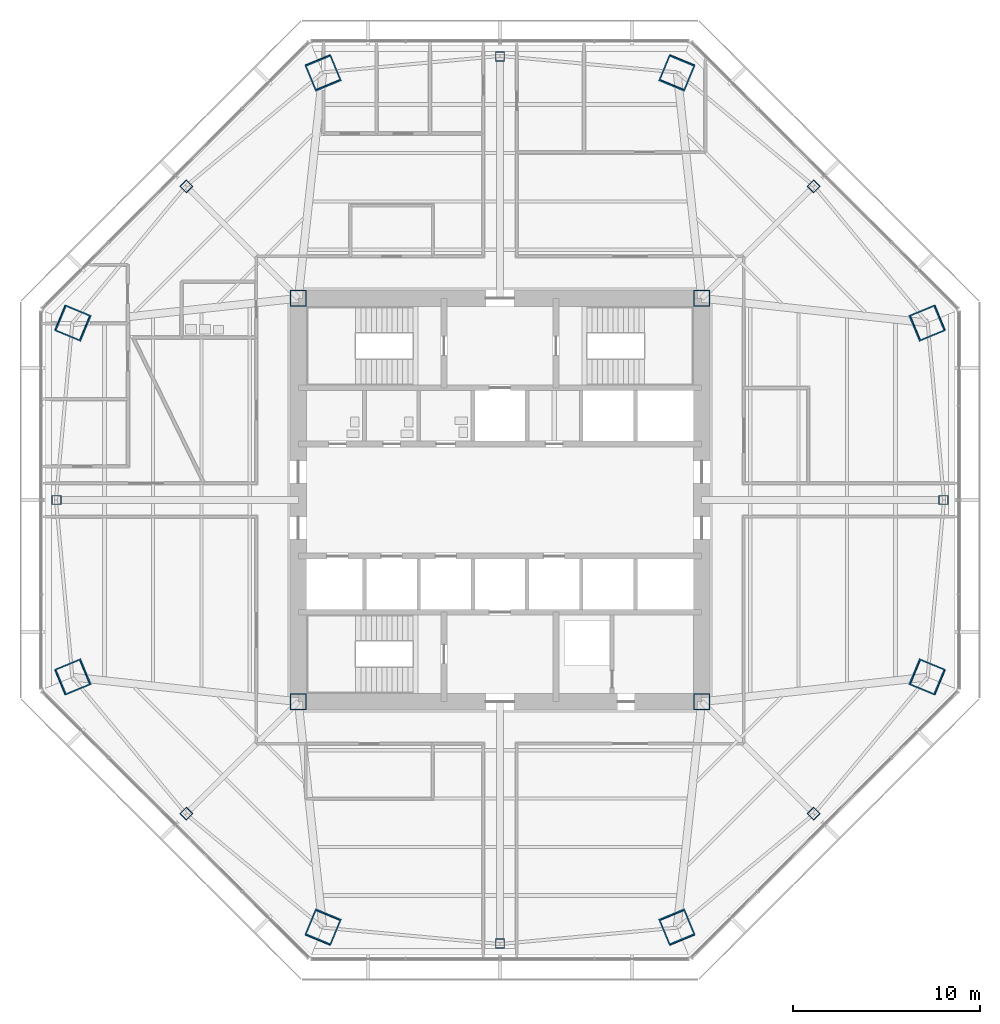
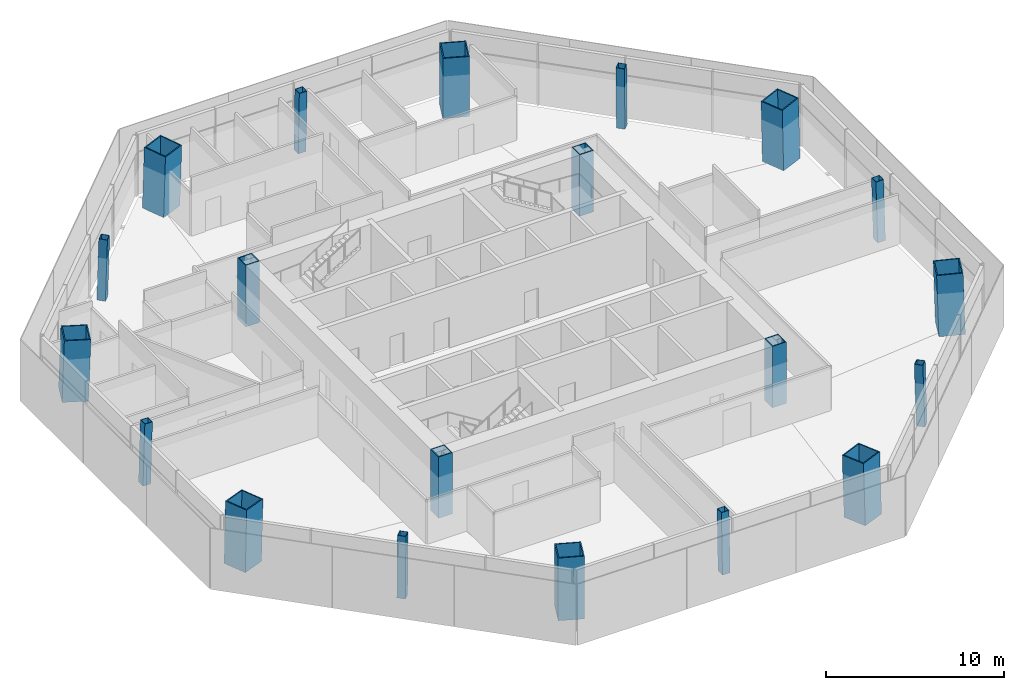
# One storey, part 1 of 14: 20 columns.
"""IFC4 building model written with IfcOpenShell, lengths in metres."""

import ifcopenshell
import ifcopenshell.guid

model = None  # the IFC model being written
_history = None  # IfcOwnerHistory: only IFC2X3 demands one
_inside = {}  # id of a spatial element -> (the spatial element, [elements in it])
_under = {}  # id of a project, library or spatial element -> (it, [spatial elements below it])
_declared = {}  # id of a project -> (the project, [libraries it declares])
_typed = {}  # id of a type object -> (the type object, [elements of that type])
_made_of = {}  # id of a material, layer set ... -> (it, [elements and type objects made of it])


def new_model(schema):
    """Start an empty IFC model of exactly this schema.

    Asked for "IFC4X3", IfcOpenShell would pick the latest addendum, in which some entities
    have other attributes; the version numbers below select the first issue.
    IFC2X3 requires an IfcOwnerHistory on every rooted entity: one is made here for all.
    """
    global model, _history
    if schema == "IFC4X3":
        model = ifcopenshell.file(schema_version=(4, 3, 0, 0))
    else:
        model = ifcopenshell.file(schema=schema)
    _inside.clear()
    _under.clear()
    _declared.clear()
    _typed.clear()
    _made_of.clear()
    _history = None
    if model.schema == "IFC2X3":
        org = make("IfcOrganization", Name="unknown")
        user = make(
            "IfcPersonAndOrganization",
            ThePerson=make("IfcPerson", FamilyName="unknown"),
            TheOrganization=org,
        )
        app = make(
            "IfcApplication",
            ApplicationDeveloper=org,
            Version="unknown",
            ApplicationFullName="unknown",
            ApplicationIdentifier="unknown",
        )
        _history = make(
            "IfcOwnerHistory",
            OwningUser=user,
            OwningApplication=app,
            ChangeAction="ADDED",
            CreationDate=0,
        )
    return model


def make(cls, **values):
    """One entity of the class cls with the attributes given. An attribute that is None is left unset."""
    return model.create_entity(
        cls, **{name: value for name, value in values.items() if value is not None}
    )


def rooted(cls, **values):
    """An entity with a GlobalId (a new one), such as an element, a storey or a relation."""
    return make(cls, GlobalId=ifcopenshell.guid.new(), OwnerHistory=_history, **values)


def si_unit(unit_type, name, prefix=None):
    """IfcSIUnit, for example si_unit("LENGTHUNIT", "METRE", prefix="MILLI")."""
    return make("IfcSIUnit", UnitType=unit_type, Prefix=prefix, Name=name)


def assignment(units):
    """IfcUnitAssignment: the units of a project."""
    return None if units is None else make("IfcUnitAssignment", Units=units)


def point(xyz):
    """IfcCartesianPoint."""
    return None if xyz is None else make("IfcCartesianPoint", Coordinates=xyz)


def direction(xyz):
    """IfcDirection."""
    return None if xyz is None else make("IfcDirection", DirectionRatios=xyz)


def frame(location, z_axis=None, x_axis=None):
    """IfcAxis2Placement3D, a coordinate frame: its origin and axes. An axis left out is left unset."""
    return make(
        "IfcAxis2Placement3D",
        Location=point(location),
        Axis=direction(z_axis),
        RefDirection=direction(x_axis),
    )


def frame_2d(location, x_axis=None):
    """IfcAxis2Placement2D, a coordinate frame in the plane: its origin and x axis."""
    return make(
        "IfcAxis2Placement2D", Location=point(location), RefDirection=direction(x_axis)
    )


def origin():
    """The frame at (0, 0, 0) with its axes left unset."""
    return frame((0.0, 0.0, 0.0))


def origin_2d():
    """The frame at (0, 0) in the plane with its x axis left unset."""
    return frame_2d((0.0, 0.0))


def place(relative_to, where):
    """IfcLocalPlacement: puts the frame where relative to a parent placement (None: the world)."""
    return make(
        "IfcLocalPlacement", PlacementRelTo=relative_to, RelativePlacement=where
    )


def context(
    kind, dimensions, precision=None, world=None, true_north=None, identifier=None
):
    """IfcGeometricRepresentationContext, for example the 3D "Model" context."""
    return make(
        "IfcGeometricRepresentationContext",
        ContextIdentifier=identifier,
        ContextType=kind,
        CoordinateSpaceDimension=dimensions,
        Precision=precision,
        WorldCoordinateSystem=world,
        TrueNorth=true_north,
    )


def subcontext(parent, identifier, kind, view, scale=None):
    """IfcGeometricRepresentationSubContext, for example "Body" below "Model"."""
    return make(
        "IfcGeometricRepresentationSubContext",
        ContextIdentifier=identifier,
        ContextType=kind,
        ParentContext=parent,
        TargetScale=scale,
        TargetView=view,
    )


def project(units=None, contexts=None):
    """IfcProject with its units and contexts."""
    return rooted(
        "IfcProject",
        Name="project",
        RepresentationContexts=contexts,
        UnitsInContext=assignment(units),
    )


def spatial(cls, under=None, at=None, **own):
    """A site, building, storey or space (cls), placed at a placement, below another one or the project."""
    s = rooted(cls, ObjectPlacement=at, **own)
    if under is not None:
        _under.setdefault(under.id(), (under, []))[1].append(s)
    return s


def profile(cls, at=None, kind="AREA", **sizes):
    """A parametric profile (cls). Its sizes go by their IFC names, for example OverallWidth=200.0."""
    return make(cls, ProfileType=kind, Position=at, **sizes)


def hollow_rectangle(**sizes):
    """IfcRectangleHollowProfileDef."""
    return profile("IfcRectangleHollowProfileDef", **sizes)


def extrude(swept, where, along, depth):
    """IfcExtrudedAreaSolid: the profile swept, set in the frame where, extruded along a direction by depth."""
    return make(
        "IfcExtrudedAreaSolid",
        SweptArea=swept,
        Position=where,
        ExtrudedDirection=direction(along),
        Depth=depth,
    )


def shape(context_of_items, identifier, shape_type, items):
    """IfcShapeRepresentation: the items that make up one representation, for example the "Body"."""
    return make(
        "IfcShapeRepresentation",
        ContextOfItems=context_of_items,
        RepresentationIdentifier=identifier,
        RepresentationType=shape_type,
        Items=items,
    )


def material(Name=None, Category=None):
    """IfcMaterial."""
    return make("IfcMaterial", Name=Name, Category=Category)


def material_profile(
    of_material, cross_section, Name=None, Category=None, Priority=None
):
    """IfcMaterialProfile: a cross section and its material."""
    return make(
        "IfcMaterialProfile",
        Name=Name,
        Material=of_material,
        Profile=cross_section,
        Priority=Priority,
        Category=Category,
    )


def profile_set(profiles, Name=None, composite=None):
    """IfcMaterialProfileSet."""
    return make(
        "IfcMaterialProfileSet",
        Name=Name,
        MaterialProfiles=profiles,
        CompositeProfile=composite,
    )


def made_of(thing, what):
    """Note that an element or type object is made of a material, layer set ...; save() writes the relation."""
    if what is not None:
        _made_of.setdefault(what.id(), (what, []))[1].append(thing)
    return thing


def type_object(cls, material=None, **own):
    """A type object (cls), such as IfcWallType, which elements share."""
    return made_of(rooted(cls, **own), material)


def element(
    cls,
    number,
    at=None,
    inside=None,
    cuts=None,
    type_object=None,
    material=None,
    context=None,
    identifier="Body",
    shape_type=None,
    held_by="IfcProductDefinitionShape",
    body=None,
    shapes=None,
    **own,
):
    """One element of the class cls, such as IfcWall. Its Tag is "e" and its number.

    at: its placement. inside: the storey or other place that contains it. cuts: it is an
    opening in that element (IfcRelVoidsElement). A single representation is given by context,
    identifier, shape_type and body (its items); several are given by shapes. held_by: the class
    of the entity that holds the representations. save() writes the other relations.
    """
    e = rooted(cls, Tag="e%d" % number, ObjectPlacement=at, **own)
    if body is not None:
        shapes = [shape(context, identifier, shape_type, body)]
    if shapes is not None:
        e.Representation = make(held_by, Representations=shapes)
    if inside is not None:
        _inside.setdefault(inside.id(), (inside, []))[1].append(e)
    if cuts is not None:
        rooted(
            "IfcRelVoidsElement", RelatingBuildingElement=cuts, RelatedOpeningElement=e
        )
    if type_object is not None:
        _typed.setdefault(type_object.id(), (type_object, []))[1].append(e)
    return made_of(e, material)


def aggregate(whole, parts):
    """IfcRelAggregates: a whole, such as a stair, and the parts it consists of."""
    return rooted("IfcRelAggregates", RelatingObject=whole, RelatedObjects=parts)


def save(model, path):
    """Write the relations noted so far, then the file.

    IfcRelAggregates (storeys below a building ...), IfcRelContainedInSpatialStructure (elements
    in a storey), IfcRelDefinesByType, IfcRelAssociatesMaterial and IfcRelDeclares: one each for
    every whole, place, type object, material and project.
    """
    for whole, parts in _under.values():
        aggregate(whole, parts)
    for where, things in _inside.values():
        rooted(
            "IfcRelContainedInSpatialStructure",
            RelatedElements=things,
            RelatingStructure=where,
        )
    for kind, things in _typed.values():
        rooted("IfcRelDefinesByType", RelatedObjects=things, RelatingType=kind)
    for what, things in _made_of.values():
        rooted("IfcRelAssociatesMaterial", RelatedObjects=things, RelatingMaterial=what)
    for by, libraries in _declared.values():
        rooted("IfcRelDeclares", RelatingContext=by, RelatedDefinitions=libraries)
    model.write(path)


model = new_model("IFC4")

# Units and contexts
model_context = context("Model", 3, precision=1e-05, world=origin(), true_north=direction((0.0, 1.0)))
body_context = subcontext(model_context, "Body", "Model", "MODEL_VIEW")
ifc_project = project(units=[si_unit("LENGTHUNIT", "METRE"), si_unit("AREAUNIT", "SQUARE_METRE"), si_unit("VOLUMEUNIT", "CUBIC_METRE"), si_unit("PLANEANGLEUNIT", "RADIAN"), si_unit("MASSUNIT", "GRAM", prefix="KILO")], contexts=[model_context])

# Site, building, storey
site_placement = place(None, origin())
site = spatial("IfcSite", under=ifc_project, at=site_placement, CompositionType="ELEMENT")
building_placement = place(site_placement, origin())
building = spatial("IfcBuilding", under=site, at=building_placement, Name="Mashrafa Tower", CompositionType="ELEMENT")
storey_placement = place(building_placement, frame((0.0, 0.0, 121.800048828125)))
storey = spatial("IfcBuildingStorey", under=building, at=storey_placement, Name="L27", CompositionType="ELEMENT", Elevation=121.800048828125)

# Columns
ifc_material_1 = material(Name="Steel ASTM A572 Gr 50", Category="steel")
ifc_material_profile_1 = material_profile(ifc_material_1, hollow_rectangle(XDim=0.89990234375, YDim=0.89990234375, WallThickness=0.06005859375, at=origin_2d()), Name="BOX900X900X60")
ifc_profile_set_1 = profile_set([ifc_material_profile_1], Name="Steel ASTM A572 Gr 50")
column_type_1 = type_object("IfcColumnType", Name="Core corner column BOX900X900X60", PredefinedType="COLUMN", material=ifc_profile_set_1)
for number, where, z_axis, x_axis, name in (
    (1, (10.800048828125, 10.800048828125, 0.0), (0.0, 0.0, 1.0), (1.0, 0.0, 0.0), "Core corner column CC-NE L27"),
    (2, (-10.800048828125, 10.800048828125, 0.0), (0.0, 0.0, 1.0), (1.0, 0.0, 0.0), "Core corner column CC-NW L27"),
    (3, (-10.800048828125, -10.800048828125, 0.0), (0.0, 0.0, 1.0), (1.0, 0.0, 0.0), "Core corner column CC-SW L27"),
    (4, (10.800048828125, -10.800048828125, 0.0), (0.0, 0.0, 1.0), (1.0, 0.0, 0.0), "Core corner column CC-SE L27"),
):
    element("IfcColumn", number, at=place(storey_placement, frame(where, z_axis=z_axis, x_axis=x_axis)), inside=storey, type_object=column_type_1, Name=name, PredefinedType="COLUMN", context=body_context, shape_type="SweptSolid", body=[
        extrude(hollow_rectangle(XDim=0.89990234375, YDim=0.89990234375, WallThickness=0.06005859375, at=origin_2d()), origin(), (0.0, 0.0, 1.0), 4.199951171875),
    ])
ifc_material_2 = material(Name="Steel ASTM A572 Gr 50", Category="steel")
ifc_material_profile_2 = material_profile(ifc_material_2, hollow_rectangle(XDim=1.5, YDim=1.5, WallThickness=0.070068359375, at=origin_2d()), Name="BOX1500X1500X70")
ifc_profile_set_2 = profile_set([ifc_material_profile_2], Name="Steel ASTM A572 Gr 50")
column_type_2 = type_object("IfcColumnType", Name="Mega column CFST BOX1500X1500X70", PredefinedType="COLUMN", material=ifc_profile_set_2)
for number, where, z_axis, x_axis, name in (
    (5, (22.890869140625, 9.481689453125, 0.0), (-0.028237693676, -0.011678552323, 0.999533012997), (0.382183844423, -0.924086310396, 0.0), "Mega column MC1 L27"),
    (6, (9.481689453125, 22.890869140625, 0.0), (-0.011678552323, -0.028237693676, 0.999533012997), (0.924086310396, -0.382183844423, 0.0), "Mega column MC2 L27"),
    (7, (-9.481689453125, 22.890869140625, 0.0), (0.011678552323, -0.028237693676, 0.999533012997), (0.924086310396, 0.382183844423, 0.0), "Mega column MC3 L27"),
    (8, (-22.890869140625, 9.481689453125, 0.0), (0.028237693676, -0.011678552323, 0.999533012997), (0.382183844423, 0.924086310396, 0.0), "Mega column MC4 L27"),
    (9, (-22.890869140625, -9.481689453125, 0.0), (0.028237693676, 0.011678552323, 0.999533012997), (-0.382183844423, 0.924086310396, 0.0), "Mega column MC5 L27"),
    (10, (-9.481689453125, -22.890869140625, 0.0), (0.011678552323, 0.028237693676, 0.999533012997), (-0.924086310396, 0.382183844423, 0.0), "Mega column MC6 L27"),
    (11, (9.481689453125, -22.890869140625, 0.0), (-0.011678552323, 0.028237693676, 0.999533012997), (-0.924086310396, -0.382183844423, 0.0), "Mega column MC7 L27"),
    (12, (22.890869140625, -9.481689453125, 0.0), (-0.028237693676, 0.011678552323, 0.999533012997), (-0.382183844423, -0.924086310396, 0.0), "Mega column MC8 L27"),
):
    element("IfcColumn", number, at=place(storey_placement, frame(where, z_axis=z_axis, x_axis=x_axis)), inside=storey, type_object=column_type_2, Name=name, PredefinedType="COLUMN", context=body_context, shape_type="SweptSolid", body=[
        extrude(hollow_rectangle(XDim=1.5, YDim=1.5, WallThickness=0.070068359375, at=origin_2d()), origin(), (0.0, 0.0, 1.0), 4.201904296875),
    ])
ifc_material_3 = material(Name="Steel ASTM A572 Gr 50", Category="steel")
ifc_material_profile_3 = material_profile(ifc_material_3, hollow_rectangle(XDim=0.5, YDim=0.5, WallThickness=0.02490234375, at=origin_2d()), Name="BOX500X500X25")
ifc_profile_set_3 = profile_set([ifc_material_profile_3], Name="Steel ASTM A572 Gr 50")
column_type_3 = type_object("IfcColumnType", Name="Secondary column BOX500X500X25", PredefinedType="COLUMN", material=ifc_profile_set_3)
for number, where, z_axis, x_axis, name in (
    (13, (23.76904296875, 0.0, 0.0), (-0.028239619523, 0.0, 0.999601182417), (0.0, -1.0, 0.0), "Secondary column SC1 L27"),
    (14, (16.807373046875, 16.807373046875, 0.0), (-0.019988521213, -0.019988521213, 0.999600379171), (0.707106781187, -0.707106781187, 0.0), "Secondary column SC2 L27"),
    (15, (0.0, 23.76904296875, 0.0), (0.0, -0.028239619523, 0.999601182417), (1.0, 0.0, 0.0), "Secondary column SC3 L27"),
    (16, (-16.807373046875, 16.807373046875, 0.0), (0.019988521213, -0.019988521213, 0.999600379171), (0.707106781187, 0.707106781187, 0.0), "Secondary column SC4 L27"),
    (17, (-23.76904296875, 0.0, 0.0), (0.028239619523, 0.0, 0.999601182417), (0.0, 1.0, 0.0), "Secondary column SC5 L27"),
    (18, (-16.807373046875, -16.807373046875, 0.0), (0.019988521213, 0.019988521213, 0.999600379171), (-0.707106781187, 0.707106781187, 0.0), "Secondary column SC6 L27"),
    (19, (0.0, -23.76904296875, 0.0), (0.0, 0.028239619523, 0.999601182417), (-1.0, 0.0, 0.0), "Secondary column SC7 L27"),
    (20, (16.807373046875, -16.807373046875, 0.0), (-0.019988521213, 0.019988521213, 0.999600379171), (-0.707106781187, -0.707106781187, 0.0), "Secondary column SC8 L27"),
):
    element("IfcColumn", number, at=place(storey_placement, frame(where, z_axis=z_axis, x_axis=x_axis)), inside=storey, type_object=column_type_3, Name=name, PredefinedType="COLUMN", context=body_context, shape_type="SweptSolid", body=[
        extrude(hollow_rectangle(XDim=0.5, YDim=0.5, WallThickness=0.02490234375, at=origin_2d()), origin(), (0.0, 0.0, 1.0), 4.20166015625),
    ])

save(model, "model.ifc")
